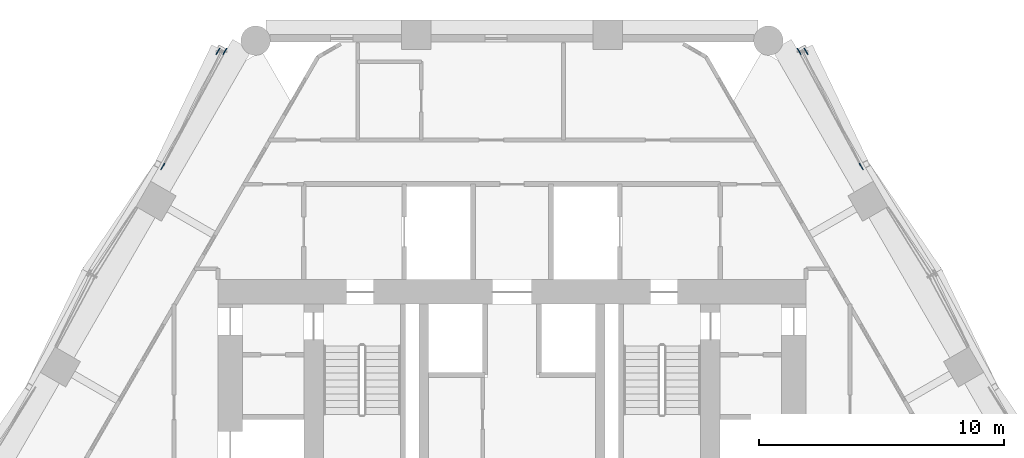
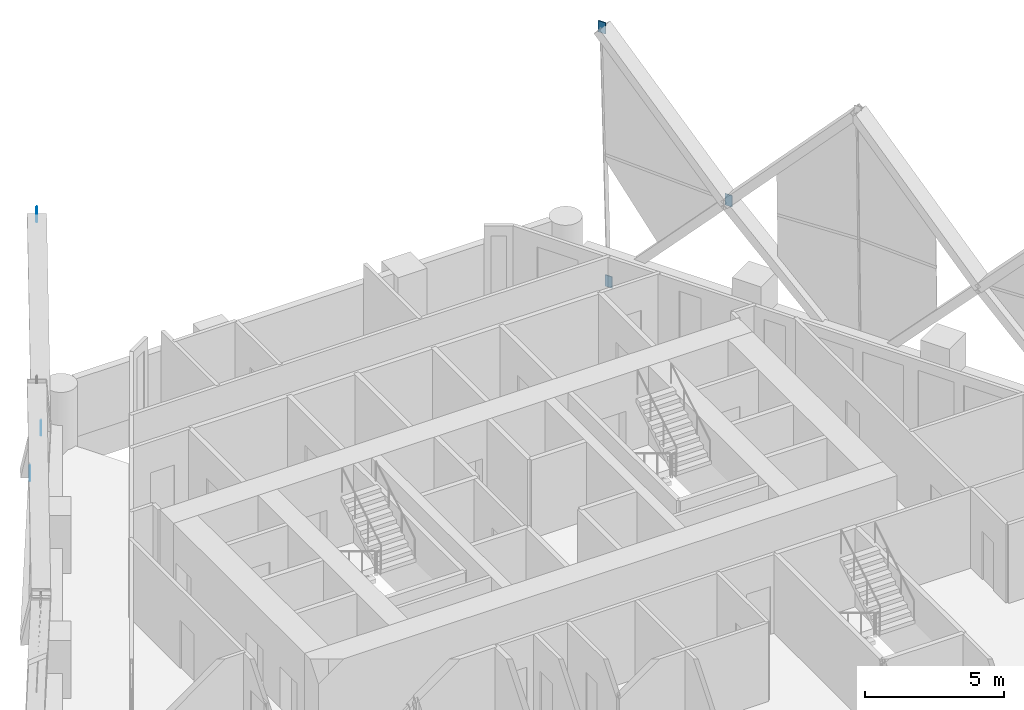
# One storey, part 20 of 21: 6 discrete accessories.
"""IFC4 building model written with IfcOpenShell, lengths in metres."""

from ifc_helpers import new_model, si_unit, direction, frame, origin, origin_2d, place, context, subcontext, project, spatial, rectangle, extrude, material, layer, layer_set, type_object, element, save


model = new_model("IFC4")

# Units and contexts
model_context = context("Model", 3, precision=1e-05, world=origin(), true_north=direction((0.0, 1.0)))
body_context = subcontext(model_context, "Body", "Model", "MODEL_VIEW")
ifc_project = project(units=[si_unit("LENGTHUNIT", "METRE"), si_unit("AREAUNIT", "SQUARE_METRE"), si_unit("VOLUMEUNIT", "CUBIC_METRE"), si_unit("PLANEANGLEUNIT", "RADIAN"), si_unit("MASSUNIT", "GRAM", prefix="KILO")], contexts=[model_context])

# Site, building, storey
site_placement = place(None, origin())
site = spatial("IfcSite", under=ifc_project, at=site_placement, CompositionType="ELEMENT")
building_placement = place(site_placement, origin())
building = spatial("IfcBuilding", under=site, at=building_placement, Name="Ostrander Bayou Hotel Tower", CompositionType="ELEMENT")
storey_placement = place(building_placement, frame((0.0, 0.0, 116.0)))
storey = spatial("IfcBuildingStorey", under=building, at=storey_placement, Name="L28", CompositionType="ELEMENT", Elevation=116.0)

# Discrete accessories
ifc_material = material(Name="Steel ASTM A572 Gr 50", Category="steel")
ifc_layer = layer(ifc_material, 0.030029296875)
ifc_layer_set = layer_set([ifc_layer], Name="GP1 gusset plate 30 mm")
discrete_accessory_type = type_object("IfcDiscreteAccessoryType", Name="GP1 gusset plate 30 mm", PredefinedType="BRACKET", material=ifc_layer_set)
for number, where, z_axis, x_axis, name in (
    (1, (-14.259033203125, 14.3173828125, 4.77490234375), (0.0, 0.0, 1.0), (-0.5, -0.866025403784, 0.0), "GP1 gusset plate lat 152"),
    (2, (-12.00341796875, 19.0185546875, -0.85009765625), (0.0, 0.0, 1.0), (-0.5, -0.866025403784, 0.0), "GP1 gusset plate lat 153"),
    (3, (-11.719970703125, 19.0185546875, 10.39990234375), (0.0, 0.0, 1.0), (-0.5, -0.866025403784, 0.0), "GP1 gusset plate lat 154"),
    (4, (14.259033203125, 14.3173828125, 4.77490234375), (0.0, 0.0, 1.0), (-0.5, 0.866025403784, 0.0), "GP1 gusset plate lat 189"),
    (5, (12.00341796875, 19.0185546875, -0.85009765625), (0.0, 0.0, 1.0), (-0.5, 0.866025403784, 0.0), "GP1 gusset plate lat 190"),
    (6, (11.719970703125, 19.0185546875, 10.39990234375), (0.0, 0.0, 1.0), (-0.5, 0.866025403784, 0.0), "GP1 gusset plate lat 191"),
):
    element("IfcDiscreteAccessory", number, at=place(storey_placement, frame(where, z_axis=z_axis, x_axis=x_axis)), inside=storey, type_object=discrete_accessory_type, Name=name, PredefinedType="BRACKET", context=body_context, shape_type="SweptSolid", body=[
        extrude(rectangle(XDim=0.300048828125, YDim=0.030029296875, at=origin_2d()), origin(), (0.0, 0.0, 1.0), 0.5),
    ])

save(model, "model.ifc")
